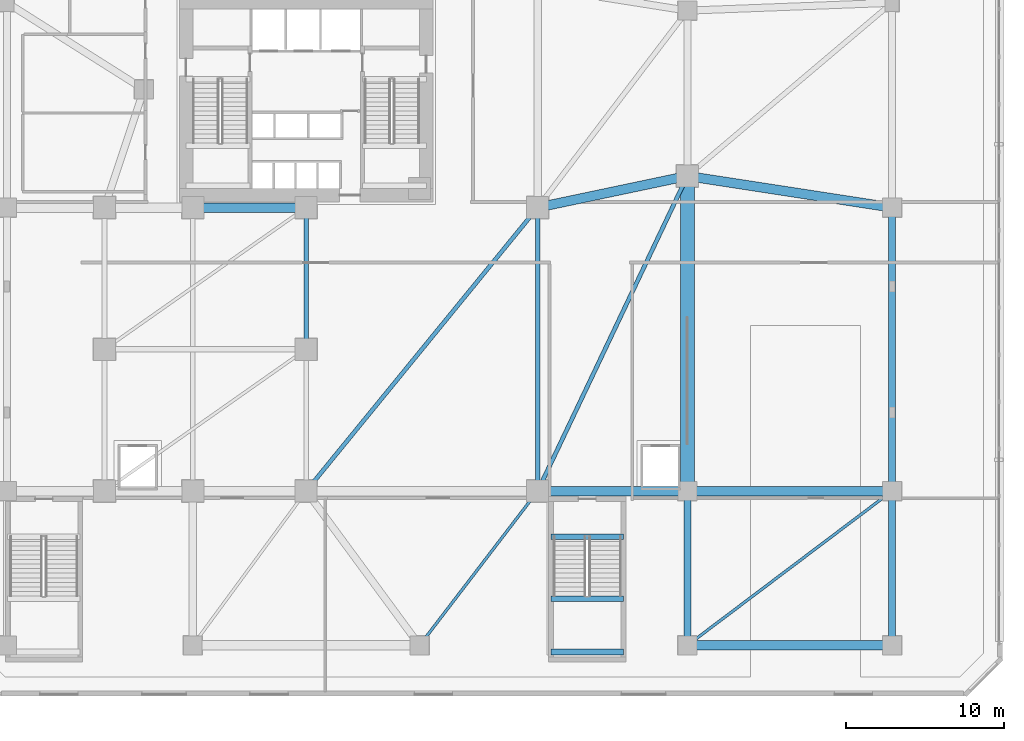
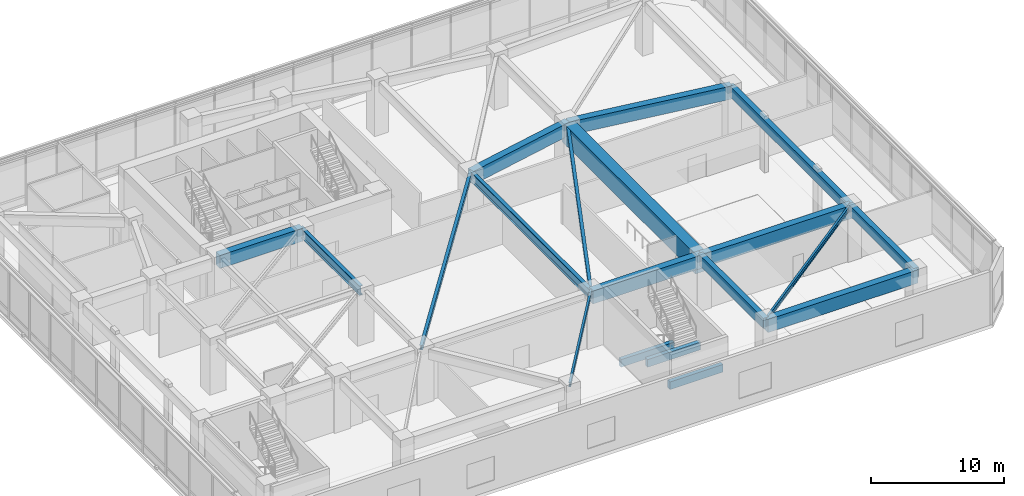
# One storey, part 4 of 18: 19 beams.
"""IFC4 building model written with IfcOpenShell, lengths in metres."""

from ifc_helpers import new_model, si_unit, direction, frame, origin, origin_2d, place, context, subcontext, project, spatial, rectangle, i_section, extrude, source, transform, mapped, material, material_profile, profile_set, type_object, element, save


model = new_model("IFC4")

# Units and contexts
model_context = context("Model", 3, precision=1e-05, world=origin(), true_north=direction((0.0, 1.0)))
body_context = subcontext(model_context, "Body", "Model", "MODEL_VIEW")
ifc_project = project(units=[si_unit("LENGTHUNIT", "METRE"), si_unit("AREAUNIT", "SQUARE_METRE"), si_unit("VOLUMEUNIT", "CUBIC_METRE"), si_unit("PLANEANGLEUNIT", "RADIAN"), si_unit("MASSUNIT", "GRAM", prefix="KILO")], contexts=[model_context])

# Site, building, storey
site_placement = place(None, origin())
site = spatial("IfcSite", under=ifc_project, at=site_placement, CompositionType="ELEMENT")
building_placement = place(site_placement, origin())
building = spatial("IfcBuilding", under=site, at=building_placement, Name="Calvemar Wedge Station Tower", CompositionType="ELEMENT")
storey_placement = place(building_placement, frame((0.0, 0.0, 11.199951171875)))
storey = spatial("IfcBuildingStorey", under=building, at=storey_placement, Name="L03", CompositionType="ELEMENT", Elevation=11.199951171875)

# Beams
ifc_material_1 = material(Name="Concrete C70", Category="concrete")
ifc_material_profile_1 = material_profile(ifc_material_1, rectangle(XDim=0.35009765625, YDim=0.699951171875, at=origin_2d()), Name="RC350x700")
ifc_profile_set_1 = profile_set([ifc_material_profile_1], Name="Concrete C70")
beam_type_1 = type_object("IfcBeamType", Name="BM-LN1-700", PredefinedType="LINTEL", material=ifc_profile_set_1)
shared_shape_1 = source(origin(), body_context, "Body", "SweptSolid", [
    extrude(rectangle(XDim=0.35009765625, YDim=0.699951171875, at=origin_2d()), origin(), (0.0, 0.0, 1.0), 4.599853515625),
])
for number, where, z_axis, x_axis, name in (
    (1, (39.35009765625, 12.10009765625, -0.349853515625), (1.0, 0.0, 0.0), (0.0, 1.0, 0.0), "Storey L03 Stair ST-P2 Landing Trimmer Beam"),
    (2, (39.35009765625, 4.780029296875, 2.050048828125), (1.0, 0.0, 0.0), (0.0, 1.0, 0.0), "Storey L03 Stair ST-P2 Half-Landing Beam 1A"),
    (3, (39.35009765625, 8.14990234375, 2.050048828125), (1.0, 0.0, 0.0), (0.0, 1.0, 0.0), "Storey L03 Stair ST-P2 Half-Landing Beam 1B"),
):
    element("IfcBeam", number, at=place(storey_placement, frame(where, z_axis=z_axis, x_axis=x_axis)), inside=storey, type_object=beam_type_1, Name=name, PredefinedType="LINTEL", context=body_context, shape_type="MappedRepresentation", body=[
        mapped(shared_shape_1, transform((0.0, 0.0, 0.0), scale=1.0)),
    ])
ifc_material_2 = material(Name="Concrete C60", Category="concrete")
ifc_material_profile_2 = material_profile(ifc_material_2, rectangle(XDim=0.60009765625, YDim=1.199951171875, at=origin_2d()), Name="RC600x1200")
ifc_profile_set_2 = profile_set([ifc_material_profile_2], Name="Concrete C60")
beam_type_2 = type_object("IfcBeamType", Name="BM-G1-1200", PredefinedType="BEAM", material=ifc_profile_set_2)
shared_shape_2 = source(origin(), body_context, "Body", "SweptSolid", [
    extrude(rectangle(XDim=0.60009765625, YDim=1.199951171875, at=origin_2d()), origin(), (0.0, 0.0, 1.0), 13.0),
])
for number, where, z_axis, x_axis, name in (
    (4, (48.0, 5.199951171875, 4.300048828125), (1.0, 0.0, 0.0), (0.0, 1.0, 0.0), "Storey L03 Primary Girder G04"),
    (5, (48.0, 15.0, 4.300048828125), (1.0, 0.0, 0.0), (0.0, 1.0, 0.0), "Storey L03 Primary Girder G10"),
):
    element("IfcBeam", number, at=place(storey_placement, frame(where, z_axis=z_axis, x_axis=x_axis)), inside=storey, type_object=beam_type_2, Name=name, PredefinedType="BEAM", context=body_context, shape_type="MappedRepresentation", body=[
        mapped(shared_shape_2, transform((0.0, 0.0, 0.0), scale=1.0)),
    ])
shared_shape_3 = source(origin(), body_context, "Body", "SweptSolid", [
    extrude(rectangle(XDim=0.60009765625, YDim=1.199951171875, at=origin_2d()), origin(), (0.0, 0.0, 1.0), 7.199951171875),
])
beam_1_placement = place(storey_placement, frame((16.60009765625, 33.0, 4.300048828125), z_axis=(1.0, 0.0, 0.0), x_axis=(0.0, 1.0, 0.0)))
element("IfcBeam", 6, at=beam_1_placement, inside=storey, type_object=beam_type_2, Name="Storey L03 Primary Girder G13", PredefinedType="BEAM", context=body_context, shape_type="MappedRepresentation", body=[
    mapped(shared_shape_3, transform((0.0, 0.0, 0.0), scale=1.0)),
])
shared_shape_4 = source(origin(), body_context, "Body", "SweptSolid", [
    extrude(rectangle(XDim=0.60009765625, YDim=1.199951171875, at=origin_2d()), origin(), (0.0, 0.0, 1.0), 9.5),
])
beam_2_placement = place(storey_placement, frame((38.5, 15.0, 4.300048828125), z_axis=(1.0, 0.0, 0.0), x_axis=(0.0, 1.0, 0.0)))
element("IfcBeam", 7, at=beam_2_placement, inside=storey, type_object=beam_type_2, Name="Storey L03 Primary Girder G09", PredefinedType="BEAM", context=body_context, shape_type="MappedRepresentation", body=[
    mapped(shared_shape_4, transform((0.0, 0.0, 0.0), scale=1.0)),
])
shared_shape_5 = source(origin(), body_context, "Body", "SweptSolid", [
    extrude(rectangle(XDim=0.60009765625, YDim=1.199951171875, at=origin_2d()), origin(), (0.0, 0.0, 1.0), 9.708251953125),
])
beam_3_placement = place(storey_placement, frame((38.5, 33.0, 4.300048828125), z_axis=(0.978549784987, 0.20601048105, 0.0), x_axis=(-0.20601048105, 0.978549784987, 0.0)))
element("IfcBeam", 8, at=beam_3_placement, inside=storey, type_object=beam_type_2, Name="Storey L03 Primary Girder G16", PredefinedType="BEAM", context=body_context, shape_type="MappedRepresentation", body=[
    mapped(shared_shape_5, transform((0.0, 0.0, 0.0), scale=1.0)),
])
shared_shape_6 = source(origin(), body_context, "Body", "SweptSolid", [
    extrude(rectangle(XDim=0.60009765625, YDim=1.199951171875, at=origin_2d()), origin(), (0.0, 0.0, 1.0), 13.15283203125),
])
beam_4_placement = place(storey_placement, frame((48.0, 35.0, 4.300048828125), z_axis=(0.988371697651, -0.152057184254, 0.0), x_axis=(0.152057184254, 0.988371697651, 0.0)))
element("IfcBeam", 9, at=beam_4_placement, inside=storey, type_object=beam_type_2, Name="Storey L03 Primary Girder G17", PredefinedType="BEAM", context=body_context, shape_type="MappedRepresentation", body=[
    mapped(shared_shape_6, transform((0.0, 0.0, 0.0), scale=1.0)),
])
ifc_material_3 = material(Name="Concrete C50", Category="concrete")
ifc_material_profile_3 = material_profile(ifc_material_3, rectangle(XDim=0.449951171875, YDim=0.949951171875, at=origin_2d()), Name="RC450x950")
ifc_profile_set_3 = profile_set([ifc_material_profile_3], Name="Concrete C50")
beam_type_3 = type_object("IfcBeamType", Name="BM-G2-950", PredefinedType="BEAM", material=ifc_profile_set_3)
shared_shape_7 = source(origin(), body_context, "Body", "SweptSolid", [
    extrude(rectangle(XDim=0.449951171875, YDim=0.949951171875, at=origin_2d()), origin(), (0.0, 0.0, 1.0), 18.0),
])
beam_5_placement = place(storey_placement, frame((61.0, 15.0, 4.425048828125), z_axis=(0.0, 1.0, 0.0), x_axis=(-1.0, 0.0, 0.0)))
element("IfcBeam", 10, at=beam_5_placement, inside=storey, type_object=beam_type_3, Name="Storey L03 Primary Girder G26", PredefinedType="BEAM", context=body_context, shape_type="MappedRepresentation", body=[
    mapped(shared_shape_7, transform((0.0, 0.0, 0.0), scale=1.0)),
])
ifc_material_4 = material(Name="Structural steel ASTM A572 Grade 50", Category="steel")
ifc_material_profile_4 = material_profile(ifc_material_4, i_section(OverallWidth=0.303955078125, OverallDepth=0.862060546875, WebThickness=0.019775390625, FlangeThickness=0.035888671875, FilletRadius=0.02001953125, at=origin_2d()), Name="W840x329")
ifc_profile_set_4 = profile_set([ifc_material_profile_4], Name="Structural steel ASTM A572 Grade 50")
beam_type_4 = type_object("IfcBeamType", Name="BM-TR2-W840", PredefinedType="BEAM", material=ifc_profile_set_4)
shared_shape_8 = source(origin(), body_context, "Body", "SweptSolid", [
    extrude(i_section(OverallWidth=0.303955078125, OverallDepth=0.862060546875, WebThickness=0.019775390625, FlangeThickness=0.035888671875, FilletRadius=0.02001953125, at=origin_2d()), origin(), (0.0, 0.0, 1.0), 9.0),
])
beam_6_placement = place(storey_placement, frame((23.800048828125, 24.0, 4.468994140625), z_axis=(0.0, 1.0, 0.0), x_axis=(-1.0, 0.0, 0.0)))
element("IfcBeam", 11, at=beam_6_placement, inside=storey, type_object=beam_type_4, Name="Storey L03 Primary Girder G23", PredefinedType="BEAM", context=body_context, shape_type="MappedRepresentation", body=[
    mapped(shared_shape_8, transform((0.0, 0.0, 0.0), scale=1.0)),
])
shared_shape_9 = source(origin(), body_context, "Body", "SweptSolid", [
    extrude(i_section(OverallWidth=0.303955078125, OverallDepth=0.862060546875, WebThickness=0.019775390625, FlangeThickness=0.035888671875, FilletRadius=0.02001953125, at=origin_2d()), origin(), (0.0, 0.0, 1.0), 18.0),
])
beam_7_placement = place(storey_placement, frame((38.5, 15.0, 4.468994140625), z_axis=(0.0, 1.0, 0.0), x_axis=(-1.0, 0.0, 0.0)))
element("IfcBeam", 12, at=beam_7_placement, inside=storey, type_object=beam_type_4, Name="Storey L03 Primary Girder G24", PredefinedType="BEAM", context=body_context, shape_type="MappedRepresentation", body=[
    mapped(shared_shape_9, transform((0.0, 0.0, 0.0), scale=1.0)),
])
ifc_material_profile_5 = material_profile(ifc_material_2, rectangle(XDim=0.89990234375, YDim=1.800048828125, at=origin_2d()), Name="RC900x1800")
ifc_profile_set_5 = profile_set([ifc_material_profile_5], Name="Concrete C60")
beam_type_5 = type_object("IfcBeamType", Name="BM-TG2-1800", PredefinedType="BEAM", material=ifc_profile_set_5)
shared_shape_10 = source(origin(), body_context, "Body", "SweptSolid", [
    extrude(rectangle(XDim=0.89990234375, YDim=1.800048828125, at=origin_2d()), origin(), (0.0, 0.0, 1.0), 20.0),
])
beam_8_placement = place(storey_placement, frame((48.0, 15.0, 4.0), z_axis=(0.0, 1.0, 0.0), x_axis=(-1.0, 0.0, 0.0)))
element("IfcBeam", 13, at=beam_8_placement, inside=storey, type_object=beam_type_5, Name="Storey L03 Primary Girder G25", PredefinedType="BEAM", context=body_context, shape_type="MappedRepresentation", body=[
    mapped(shared_shape_10, transform((0.0, 0.0, 0.0), scale=1.0)),
])
shared_shape_11 = source(origin(), body_context, "Body", "SweptSolid", [
    extrude(rectangle(XDim=0.449951171875, YDim=0.949951171875, at=origin_2d()), origin(), (0.0, 0.0, 1.0), 9.800048828125),
])
for number, where, z_axis, x_axis, name in (
    (14, (48.0, 5.199951171875, 4.425048828125), (0.0, 1.0, 0.0), (-1.0, 0.0, 0.0), "Storey L03 Primary Girder G31"),
    (15, (61.0, 5.199951171875, 4.425048828125), (0.0, 1.0, 0.0), (-1.0, 0.0, 0.0), "Storey L03 Primary Girder G32"),
):
    element("IfcBeam", number, at=place(storey_placement, frame(where, z_axis=z_axis, x_axis=x_axis)), inside=storey, type_object=beam_type_3, Name=name, PredefinedType="BEAM", context=body_context, shape_type="MappedRepresentation", body=[
        mapped(shared_shape_11, transform((0.0, 0.0, 0.0), scale=1.0)),
    ])
ifc_material_profile_6 = material_profile(ifc_material_4, i_section(OverallWidth=0.260986328125, OverallDepth=0.419921875, WebThickness=0.01171875, FlangeThickness=0.019287109375, FilletRadius=0.012939453125, at=origin_2d()), Name="W410x114")
ifc_profile_set_6 = profile_set([ifc_material_profile_6], Name="Structural steel ASTM A572 Grade 50")
beam_type_6 = type_object("IfcBeamType", Name="BM-J2-W410H", PredefinedType="JOIST", material=ifc_profile_set_6)
shared_shape_12 = source(origin(), body_context, "Body", "SweptSolid", [
    extrude(i_section(OverallWidth=0.260986328125, OverallDepth=0.419921875, WebThickness=0.01171875, FlangeThickness=0.019287109375, FilletRadius=0.012939453125, at=origin_2d()), origin(), (0.0, 0.0, 1.0), 23.23974609375),
])
beam_9_placement = place(storey_placement, frame((23.800048828125, 15.0, 4.68994140625), z_axis=(0.632533310438, 0.774533156931, 0.0), x_axis=(-0.774533156931, 0.632533310438, 0.0)))
element("IfcBeam", 16, at=beam_9_placement, inside=storey, type_object=beam_type_6, Name="Storey L03 Concourse Cross Joist 3", PredefinedType="JOIST", context=body_context, shape_type="MappedRepresentation", body=[
    mapped(shared_shape_12, transform((0.0, 0.0, 0.0), scale=1.0)),
])
shared_shape_13 = source(origin(), body_context, "Body", "SweptSolid", [
    extrude(i_section(OverallWidth=0.260986328125, OverallDepth=0.419921875, WebThickness=0.01171875, FlangeThickness=0.019287109375, FilletRadius=0.012939453125, at=origin_2d()), origin(), (0.0, 0.0, 1.0), 22.1416015625),
])
beam_10_placement = place(storey_placement, frame((38.5, 15.0, 4.68994140625), z_axis=(0.429056814568, 0.903277504354, 0.0), x_axis=(-0.903277504354, 0.429056814568, 0.0)))
element("IfcBeam", 17, at=beam_10_placement, inside=storey, type_object=beam_type_6, Name="Storey L03 Concourse Cross Joist 4", PredefinedType="JOIST", context=body_context, shape_type="MappedRepresentation", body=[
    mapped(shared_shape_13, transform((0.0, 0.0, 0.0), scale=1.0)),
])
ifc_material_profile_7 = material_profile(ifc_material_4, i_section(OverallWidth=0.177978515625, OverallDepth=0.406982421875, WebThickness=0.0078125, FlangeThickness=0.0126953125, FilletRadius=0.010009765625, at=origin_2d()), Name="W410x60")
ifc_profile_set_7 = profile_set([ifc_material_profile_7], Name="Structural steel ASTM A572 Grade 50")
beam_type_7 = type_object("IfcBeamType", Name="BM-J3-W410", PredefinedType="JOIST", material=ifc_profile_set_7)
shared_shape_14 = source(origin(), body_context, "Body", "SweptSolid", [
    extrude(i_section(OverallWidth=0.177978515625, OverallDepth=0.406982421875, WebThickness=0.0078125, FlangeThickness=0.0126953125, FilletRadius=0.010009765625, at=origin_2d()), origin(), (0.0, 0.0, 1.0), 12.340576171875),
])
beam_11_placement = place(storey_placement, frame((31.0, 5.199951171875, 4.696533203125), z_axis=(0.60774893356, 0.794129229884, 0.0), x_axis=(-0.794129229884, 0.60774893356, 0.0)))
element("IfcBeam", 18, at=beam_11_placement, inside=storey, type_object=beam_type_7, Name="Storey L03 Concourse Cross Joist 7", PredefinedType="JOIST", context=body_context, shape_type="MappedRepresentation", body=[
    mapped(shared_shape_14, transform((0.0, 0.0, 0.0), scale=1.0)),
])
shared_shape_15 = source(origin(), body_context, "Body", "SweptSolid", [
    extrude(i_section(OverallWidth=0.177978515625, OverallDepth=0.406982421875, WebThickness=0.0078125, FlangeThickness=0.0126953125, FilletRadius=0.010009765625, at=origin_2d()), origin(), (0.0, 0.0, 1.0), 16.280029296875),
])
beam_12_placement = place(storey_placement, frame((48.0, 5.199951171875, 4.696533203125), z_axis=(0.798521946551, 0.601965697425, 0.0), x_axis=(-0.601965697425, 0.798521946551, 0.0)))
element("IfcBeam", 19, at=beam_12_placement, inside=storey, type_object=beam_type_7, Name="Storey L03 Concourse Cross Joist 8", PredefinedType="JOIST", context=body_context, shape_type="MappedRepresentation", body=[
    mapped(shared_shape_15, transform((0.0, 0.0, 0.0), scale=1.0)),
])

save(model, "model.ifc")
